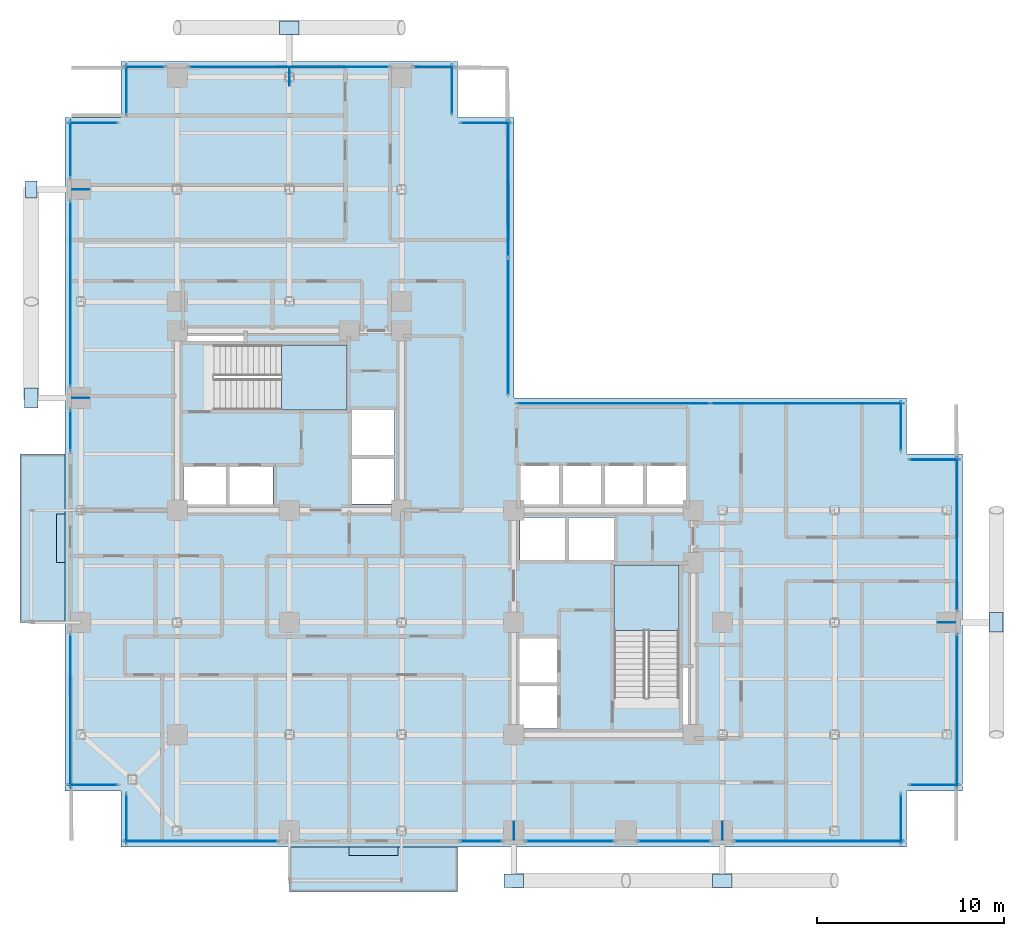
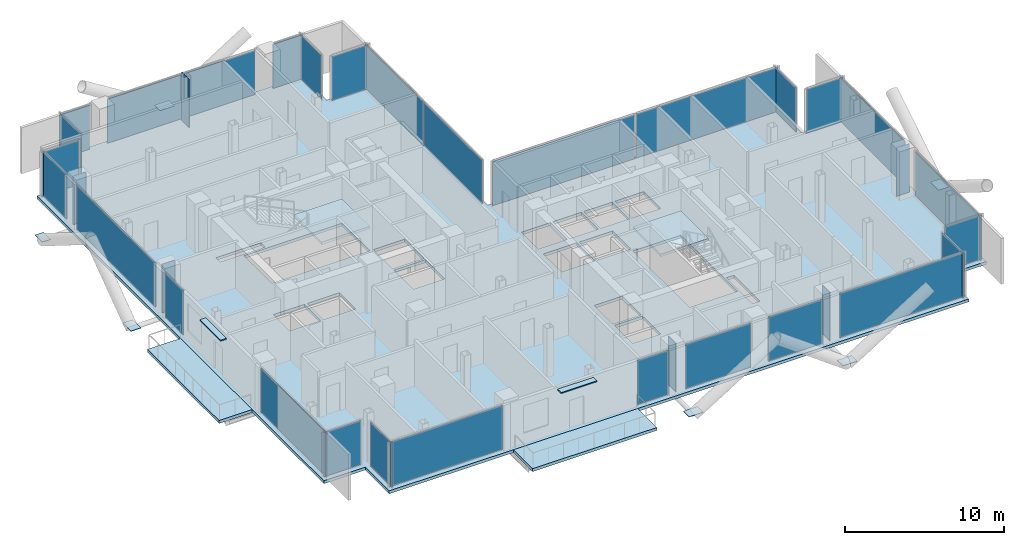
# One storey, part 17 of 24: 42 plates, 5 slabs, 28 elements without a shape of their own.
"""IFC4 building model written with IfcOpenShell, lengths in metres."""

from ifc_helpers import new_model, si_unit, direction, frame, origin, origin_2d, place, context, subcontext, project, spatial, polyline, rectangle, outline, extrude, material, layer, layer_set, type_object, element, aggregate, save


model = new_model("IFC4")

# Units and contexts
model_context = context("Model", 3, precision=1e-05, world=origin(), true_north=direction((0.0, 1.0)))
body_context = subcontext(model_context, "Body", "Model", "MODEL_VIEW")
ifc_project = project(units=[si_unit("LENGTHUNIT", "METRE"), si_unit("AREAUNIT", "SQUARE_METRE"), si_unit("VOLUMEUNIT", "CUBIC_METRE"), si_unit("PLANEANGLEUNIT", "RADIAN"), si_unit("MASSUNIT", "GRAM", prefix="KILO"), si_unit("THERMODYNAMICTEMPERATUREUNIT", "KELVIN"), si_unit("POWERUNIT", "WATT")], contexts=[model_context])

# Site, building, storey
site_placement = place(None, origin())
site = spatial("IfcSite", under=ifc_project, at=site_placement, CompositionType="ELEMENT")
building_placement = place(site_placement, origin())
building = spatial("IfcBuilding", under=site, at=building_placement, Name="Svarakhadi Broadcast Tower", CompositionType="ELEMENT")
storey_placement = place(building_placement, frame((0.0, 0.0, 115.64990234375)))
storey = spatial("IfcBuildingStorey", under=building, at=storey_placement, Name="L27", CompositionType="ELEMENT", Elevation=115.64990234375)

# Curtain wall, plate
ifc_material_1 = material(Name="Anodised Bronze Aluminium AA 6063-T6", Category="aluminium")
ifc_layer_1 = layer(ifc_material_1, 0.199951171875)
ifc_layer_set_1 = layer_set([ifc_layer_1], Name="Anodised Bronze Aluminium AA 6063-T6")
curtain_wall_type = type_object("IfcCurtainWallType", Name="CW_Sys_03", PredefinedType="NOTDEFINED", material=ifc_layer_set_1)
curtain_wall_1_placement = place(storey_placement, origin())
curtain_wall_1 = element("IfcCurtainWall", 1, at=curtain_wall_1_placement, inside=storey, type_object=curtain_wall_type, Name="L27 Unitised Facade Curtain Wall 01", PredefinedType="NOTDEFINED")
ifc_material_2 = material(Name="Double Low-E Laminated Acoustic Glass IGU 36 mm", Category="glass")
ifc_layer_2 = layer(ifc_material_2, 0.035888671875)
ifc_layer_set_2 = layer_set([ifc_layer_2], Name="Double Low-E Laminated Acoustic Glass IGU 36 mm")
plate_type_1 = type_object("IfcPlateType", Name="CW_Sys_03_Pnl", PredefinedType="CURTAIN_PANEL", material=ifc_layer_set_2)
plate_1_placement = place(storey_placement, frame((1.5, 3.300048828125, 0.0703125), z_axis=(0.0, 0.0, 1.0), x_axis=(-1.0, 0.0, 0.0)))
plate_1 = element("IfcPlate", 2, at=plate_1_placement, type_object=plate_type_1, Name="CW-03 panel 1.1", PredefinedType="CURTAIN_PANEL", context=body_context, shape_type="SweptSolid", body=[
    extrude(rectangle(XDim=2.669921875, YDim=0.035888671875, at=origin_2d()), origin(), (0.0, 0.0, 1.0), 3.385009765625),
])
aggregate(curtain_wall_1, [plate_1])

curtain_wall_2_placement = place(storey_placement, origin())
curtain_wall_2 = element("IfcCurtainWall", 3, at=curtain_wall_2_placement, inside=storey, type_object=curtain_wall_type, Name="L27 West Curtain Wall 02", PredefinedType="NOTDEFINED")
plate_2_placement = place(storey_placement, frame((0.300048828125, 7.260009765625, 0.0703125), z_axis=(0.0, 0.0, 1.0), x_axis=(0.0, 1.0, 0.0)))
plate_2 = element("IfcPlate", 4, at=plate_2_placement, type_object=plate_type_1, Name="CW-03 panel 1.1", PredefinedType="CURTAIN_PANEL", context=body_context, shape_type="SweptSolid", body=[
    extrude(rectangle(XDim=8.18994140625, YDim=0.035888671875, at=origin_2d()), origin(), (0.0, 0.0, 1.0), 3.385009765625),
])
aggregate(curtain_wall_2, [plate_2])

curtain_wall_3_placement = place(storey_placement, origin())
curtain_wall_3 = element("IfcCurtainWall", 5, at=curtain_wall_3_placement, inside=storey, type_object=curtain_wall_type, Name="L27 West Curtain Wall 03 Bay 1", PredefinedType="NOTDEFINED")
plate_3_placement = place(storey_placement, frame((0.300048828125, 22.260009765625, 0.0703125), z_axis=(0.0, 0.0, 1.0), x_axis=(0.0, 1.0, 0.0)))
plate_3 = element("IfcPlate", 6, at=plate_3_placement, type_object=plate_type_1, Name="CW-03 panel 1.1", PredefinedType="CURTAIN_PANEL", context=body_context, shape_type="SweptSolid", body=[
    extrude(rectangle(XDim=2.18994140625, YDim=0.035888671875, at=origin_2d()), origin(), (0.0, 0.0, 1.0), 3.385009765625),
])
aggregate(curtain_wall_3, [plate_3])

curtain_wall_4_placement = place(storey_placement, origin())
curtain_wall_4 = element("IfcCurtainWall", 7, at=curtain_wall_4_placement, inside=storey, type_object=curtain_wall_type, Name="L27 West Curtain Wall 03 Bay 2", PredefinedType="NOTDEFINED")
plate_4_placement = place(storey_placement, frame((0.300048828125, 29.574951171875, 0.0703125), z_axis=(0.0, 0.0, 1.0), x_axis=(0.0, 1.0, 0.0)))
plate_4 = element("IfcPlate", 8, at=plate_4_placement, type_object=plate_type_1, Name="CW-03 panel 1.1", PredefinedType="CURTAIN_PANEL", context=body_context, shape_type="SweptSolid", body=[
    extrude(rectangle(XDim=9.860107421875, YDim=0.035888671875, at=origin_2d()), origin(), (0.0, 0.0, 1.0), 3.385009765625),
])
aggregate(curtain_wall_4, [plate_4])

curtain_wall_5_placement = place(storey_placement, origin())
curtain_wall_5 = element("IfcCurtainWall", 9, at=curtain_wall_5_placement, inside=storey, type_object=curtain_wall_type, Name="L27 West Curtain Wall 03 Bay 3", PredefinedType="NOTDEFINED")
plate_5_placement = place(storey_placement, frame((0.300048828125, 37.31494140625, 0.0703125), z_axis=(0.0, 0.0, 1.0), x_axis=(0.0, 1.0, 0.0)))
plate_5 = element("IfcPlate", 10, at=plate_5_placement, type_object=plate_type_1, Name="CW-03 panel 1.1", PredefinedType="CURTAIN_PANEL", context=body_context, shape_type="SweptSolid", body=[
    extrude(rectangle(XDim=3.0400390625, YDim=0.035888671875, at=origin_2d()), origin(), (0.0, 0.0, 1.0), 3.385009765625),
])
aggregate(curtain_wall_5, [plate_5])

curtain_wall_6_placement = place(storey_placement, origin())
curtain_wall_6 = element("IfcCurtainWall", 11, at=curtain_wall_6_placement, inside=storey, type_object=curtain_wall_type, Name="L27 Unitised Facade Curtain Wall 04", PredefinedType="NOTDEFINED")
plate_6_placement = place(storey_placement, frame((1.5, 38.699951171875, 0.0703125), z_axis=(0.0, 0.0, 1.0), x_axis=(1.0, 0.0, 0.0)))
plate_6 = element("IfcPlate", 12, at=plate_6_placement, type_object=plate_type_1, Name="CW-03 panel 1.1", PredefinedType="CURTAIN_PANEL", context=body_context, shape_type="SweptSolid", body=[
    extrude(rectangle(XDim=2.669921875, YDim=0.035888671875, at=origin_2d()), origin(), (0.0, 0.0, 1.0), 3.385009765625),
])
aggregate(curtain_wall_6, [plate_6])

curtain_wall_7_placement = place(storey_placement, origin())
curtain_wall_7 = element("IfcCurtainWall", 13, at=curtain_wall_7_placement, inside=storey, type_object=curtain_wall_type, Name="L27 Unitised Facade Curtain Wall 05", PredefinedType="NOTDEFINED")
plate_7_placement = place(storey_placement, frame((3.300048828125, 40.5, 0.0703125), z_axis=(0.0, 0.0, 1.0), x_axis=(0.0, 1.0, 0.0)))
plate_7 = element("IfcPlate", 14, at=plate_7_placement, type_object=plate_type_1, Name="CW-03 panel 1.1", PredefinedType="CURTAIN_PANEL", context=body_context, shape_type="SweptSolid", body=[
    extrude(rectangle(XDim=2.669921875, YDim=0.035888671875, at=origin_2d()), origin(), (0.0, 0.0, 1.0), 3.385009765625),
])
aggregate(curtain_wall_7, [plate_7])

curtain_wall_8_placement = place(storey_placement, origin())
curtain_wall_8 = element("IfcCurtainWall", 15, at=curtain_wall_8_placement, inside=storey, type_object=curtain_wall_type, Name="L27 Unitised Facade Curtain Wall 06 Bay 1", PredefinedType="NOTDEFINED")
plate_8_placement = place(storey_placement, frame((4.260009765625, 41.699951171875, 0.0703125), z_axis=(0.0, 0.0, 1.0), x_axis=(1.0, 0.0, 0.0)))
plate_8 = element("IfcPlate", 16, at=plate_8_placement, type_object=plate_type_1, Name="CW-03 panel 1.1", PredefinedType="CURTAIN_PANEL", context=body_context, shape_type="SweptSolid", body=[
    extrude(rectangle(XDim=2.18994140625, YDim=0.035888671875, at=origin_2d()), origin(), (0.0, 0.0, 1.0), 3.385009765625),
])
aggregate(curtain_wall_8, [plate_8])

curtain_wall_9_placement = place(storey_placement, origin())
curtain_wall_9 = element("IfcCurtainWall", 17, at=curtain_wall_9_placement, inside=storey, type_object=curtain_wall_type, Name="L27 Unitised Facade Curtain Wall 06 Bay 2", PredefinedType="NOTDEFINED")
plate_9_placement = place(storey_placement, frame((12.0, 41.699951171875, 0.0703125), z_axis=(0.0, 0.0, 1.0), x_axis=(1.0, 0.0, 0.0)))
plate_9 = element("IfcPlate", 18, at=plate_9_placement, type_object=plate_type_1, Name="CW-03 panel 1.1", PredefinedType="CURTAIN_PANEL", context=body_context, shape_type="SweptSolid", body=[
    extrude(rectangle(XDim=10.7099609375, YDim=0.035888671875, at=origin_2d()), origin(), (0.0, 0.0, 1.0), 3.385009765625),
])
aggregate(curtain_wall_9, [plate_9])

curtain_wall_10_placement = place(storey_placement, origin())
curtain_wall_10 = element("IfcCurtainWall", 19, at=curtain_wall_10_placement, inside=storey, type_object=curtain_wall_type, Name="L27 Unitised Facade Curtain Wall 06 Bay 3", PredefinedType="NOTDEFINED")
plate_10_placement = place(storey_placement, frame((19.739990234375, 41.699951171875, 0.0703125), z_axis=(0.0, 0.0, 1.0), x_axis=(1.0, 0.0, 0.0)))
plate_10 = element("IfcPlate", 20, at=plate_10_placement, type_object=plate_type_1, Name="CW-03 panel 1.1", PredefinedType="CURTAIN_PANEL", context=body_context, shape_type="SweptSolid", body=[
    extrude(rectangle(XDim=2.18994140625, YDim=0.035888671875, at=origin_2d()), origin(), (0.0, 0.0, 1.0), 3.385009765625),
])
aggregate(curtain_wall_10, [plate_10])

curtain_wall_11_placement = place(storey_placement, origin())
curtain_wall_11 = element("IfcCurtainWall", 21, at=curtain_wall_11_placement, inside=storey, type_object=curtain_wall_type, Name="L27 Unitised Facade Curtain Wall 07", PredefinedType="NOTDEFINED")
plate_11_placement = place(storey_placement, frame((20.699951171875, 40.5, 0.0703125), z_axis=(0.0, 0.0, 1.0), x_axis=(0.0, -1.0, 0.0)))
plate_11 = element("IfcPlate", 22, at=plate_11_placement, type_object=plate_type_1, Name="CW-03 panel 1.1", PredefinedType="CURTAIN_PANEL", context=body_context, shape_type="SweptSolid", body=[
    extrude(rectangle(XDim=2.669921875, YDim=0.035888671875, at=origin_2d()), origin(), (0.0, 0.0, 1.0), 3.385009765625),
])
aggregate(curtain_wall_11, [plate_11])

curtain_wall_12_placement = place(storey_placement, origin())
curtain_wall_12 = element("IfcCurtainWall", 23, at=curtain_wall_12_placement, inside=storey, type_object=curtain_wall_type, Name="L27 Unitised Facade Curtain Wall 08", PredefinedType="NOTDEFINED")
plate_12_placement = place(storey_placement, frame((22.5, 38.699951171875, 0.0703125), z_axis=(0.0, 0.0, 1.0), x_axis=(1.0, 0.0, 0.0)))
plate_12 = element("IfcPlate", 24, at=plate_12_placement, type_object=plate_type_1, Name="CW-03 panel 1.1", PredefinedType="CURTAIN_PANEL", context=body_context, shape_type="SweptSolid", body=[
    extrude(rectangle(XDim=2.669921875, YDim=0.035888671875, at=origin_2d()), origin(), (0.0, 0.0, 1.0), 3.385009765625),
])
aggregate(curtain_wall_12, [plate_12])

# Curtain wall, plates
curtain_wall_13_placement = place(storey_placement, origin())
curtain_wall_13 = element("IfcCurtainWall", 25, at=curtain_wall_13_placement, inside=storey, type_object=curtain_wall_type, Name="L27 Unitised Facade Curtain Wall 09", PredefinedType="NOTDEFINED")
plate_13_placement = place(storey_placement, frame((23.699951171875, 35.186279296875, 0.0703125), z_axis=(0.0, 0.0, 1.0), x_axis=(0.0, -1.0, 0.0)))
plate_13 = element("IfcPlate", 26, at=plate_13_placement, type_object=plate_type_1, Name="CW-03 panel 1.1", PredefinedType="CURTAIN_PANEL", context=body_context, shape_type="SweptSolid", body=[
    extrude(rectangle(XDim=7.297607421875, YDim=0.035888671875, at=origin_2d()), origin(), (0.0, 0.0, 1.0), 3.385009765625),
])
plate_14_placement = place(storey_placement, frame((23.699951171875, 27.813720703125, 0.0703125), z_axis=(0.0, 0.0, 1.0), x_axis=(0.0, -1.0, 0.0)))
plate_14 = element("IfcPlate", 27, at=plate_14_placement, type_object=plate_type_1, Name="CW-03 panel 2.1", PredefinedType="CURTAIN_PANEL", context=body_context, shape_type="SweptSolid", body=[
    extrude(rectangle(XDim=7.297607421875, YDim=0.035888671875, at=origin_2d()), origin(), (0.0, 0.0, 1.0), 3.385009765625),
])
aggregate(curtain_wall_13, [plate_13, plate_14])

curtain_wall_14_placement = place(storey_placement, origin())
curtain_wall_14 = element("IfcCurtainWall", 28, at=curtain_wall_14_placement, inside=storey, type_object=curtain_wall_type, Name="L27 Unitised Facade Curtain Wall 10", PredefinedType="NOTDEFINED")
plate_15_placement = place(storey_placement, frame((29.313720703125, 23.699951171875, 0.0703125), z_axis=(0.0, 0.0, 1.0), x_axis=(1.0, 0.0, 0.0)))
plate_15 = element("IfcPlate", 29, at=plate_15_placement, type_object=plate_type_1, Name="CW-03 panel 1.1", PredefinedType="CURTAIN_PANEL", context=body_context, shape_type="SweptSolid", body=[
    extrude(rectangle(XDim=10.297607421875, YDim=0.035888671875, at=origin_2d()), origin(), (0.0, 0.0, 1.0), 3.385009765625),
])
plate_16_placement = place(storey_placement, frame((39.686279296875, 23.699951171875, 0.0703125), z_axis=(0.0, 0.0, 1.0), x_axis=(1.0, 0.0, 0.0)))
plate_16 = element("IfcPlate", 30, at=plate_16_placement, type_object=plate_type_1, Name="CW-03 panel 2.1", PredefinedType="CURTAIN_PANEL", context=body_context, shape_type="SweptSolid", body=[
    extrude(rectangle(XDim=10.297607421875, YDim=0.035888671875, at=origin_2d()), origin(), (0.0, 0.0, 1.0), 3.385009765625),
])
aggregate(curtain_wall_14, [plate_15, plate_16])

# Curtain wall, plate
curtain_wall_15_placement = place(storey_placement, origin())
curtain_wall_15 = element("IfcCurtainWall", 31, at=curtain_wall_15_placement, inside=storey, type_object=curtain_wall_type, Name="L27 Unitised Facade Curtain Wall 11", PredefinedType="NOTDEFINED")
plate_17_placement = place(storey_placement, frame((44.699951171875, 22.5, 0.0703125), z_axis=(0.0, 0.0, 1.0), x_axis=(0.0, -1.0, 0.0)))
plate_17 = element("IfcPlate", 32, at=plate_17_placement, type_object=plate_type_1, Name="CW-03 panel 1.1", PredefinedType="CURTAIN_PANEL", context=body_context, shape_type="SweptSolid", body=[
    extrude(rectangle(XDim=2.669921875, YDim=0.035888671875, at=origin_2d()), origin(), (0.0, 0.0, 1.0), 3.385009765625),
])
aggregate(curtain_wall_15, [plate_17])

curtain_wall_16_placement = place(storey_placement, origin())
curtain_wall_16 = element("IfcCurtainWall", 33, at=curtain_wall_16_placement, inside=storey, type_object=curtain_wall_type, Name="L27 Unitised Facade Curtain Wall 12", PredefinedType="NOTDEFINED")
plate_18_placement = place(storey_placement, frame((46.5, 20.699951171875, 0.0703125), z_axis=(0.0, 0.0, 1.0), x_axis=(1.0, 0.0, 0.0)))
plate_18 = element("IfcPlate", 34, at=plate_18_placement, type_object=plate_type_1, Name="CW-03 panel 1.1", PredefinedType="CURTAIN_PANEL", context=body_context, shape_type="SweptSolid", body=[
    extrude(rectangle(XDim=2.669921875, YDim=0.035888671875, at=origin_2d()), origin(), (0.0, 0.0, 1.0), 3.385009765625),
])
aggregate(curtain_wall_16, [plate_18])

curtain_wall_17_placement = place(storey_placement, origin())
curtain_wall_17 = element("IfcCurtainWall", 35, at=curtain_wall_17_placement, inside=storey, type_object=curtain_wall_type, Name="L27 Unitised Facade Curtain Wall 13 Bay 1", PredefinedType="NOTDEFINED")
plate_19_placement = place(storey_placement, frame((47.699951171875, 16.739990234375, 0.0703125), z_axis=(0.0, 0.0, 1.0), x_axis=(0.0, -1.0, 0.0)))
plate_19 = element("IfcPlate", 36, at=plate_19_placement, type_object=plate_type_1, Name="CW-03 panel 1.1", PredefinedType="CURTAIN_PANEL", context=body_context, shape_type="SweptSolid", body=[
    extrude(rectangle(XDim=8.18994140625, YDim=0.035888671875, at=origin_2d()), origin(), (0.0, 0.0, 1.0), 3.385009765625),
])
aggregate(curtain_wall_17, [plate_19])

curtain_wall_18_placement = place(storey_placement, origin())
curtain_wall_18 = element("IfcCurtainWall", 37, at=curtain_wall_18_placement, inside=storey, type_object=curtain_wall_type, Name="L27 Unitised Facade Curtain Wall 13 Bay 2", PredefinedType="NOTDEFINED")
plate_20_placement = place(storey_placement, frame((47.699951171875, 7.260009765625, 0.0703125), z_axis=(0.0, 0.0, 1.0), x_axis=(0.0, -1.0, 0.0)))
plate_20 = element("IfcPlate", 38, at=plate_20_placement, type_object=plate_type_1, Name="CW-03 panel 1.1", PredefinedType="CURTAIN_PANEL", context=body_context, shape_type="SweptSolid", body=[
    extrude(rectangle(XDim=8.18994140625, YDim=0.035888671875, at=origin_2d()), origin(), (0.0, 0.0, 1.0), 3.385009765625),
])
aggregate(curtain_wall_18, [plate_20])

curtain_wall_19_placement = place(storey_placement, origin())
curtain_wall_19 = element("IfcCurtainWall", 39, at=curtain_wall_19_placement, inside=storey, type_object=curtain_wall_type, Name="L27 Unitised Facade Curtain Wall 14", PredefinedType="NOTDEFINED")
plate_21_placement = place(storey_placement, frame((46.5, 3.300048828125, 0.0703125), z_axis=(0.0, 0.0, 1.0), x_axis=(-1.0, 0.0, 0.0)))
plate_21 = element("IfcPlate", 40, at=plate_21_placement, type_object=plate_type_1, Name="CW-03 panel 1.1", PredefinedType="CURTAIN_PANEL", context=body_context, shape_type="SweptSolid", body=[
    extrude(rectangle(XDim=2.669921875, YDim=0.035888671875, at=origin_2d()), origin(), (0.0, 0.0, 1.0), 3.385009765625),
])
aggregate(curtain_wall_19, [plate_21])

curtain_wall_20_placement = place(storey_placement, origin())
curtain_wall_20 = element("IfcCurtainWall", 41, at=curtain_wall_20_placement, inside=storey, type_object=curtain_wall_type, Name="L27 Unitised Facade Curtain Wall 15", PredefinedType="NOTDEFINED")
plate_22_placement = place(storey_placement, frame((44.699951171875, 1.5, 0.0703125), z_axis=(0.0, 0.0, 1.0), x_axis=(0.0, -1.0, 0.0)))
plate_22 = element("IfcPlate", 42, at=plate_22_placement, type_object=plate_type_1, Name="CW-03 panel 1.1", PredefinedType="CURTAIN_PANEL", context=body_context, shape_type="SweptSolid", body=[
    extrude(rectangle(XDim=2.669921875, YDim=0.035888671875, at=origin_2d()), origin(), (0.0, 0.0, 1.0), 3.385009765625),
])
aggregate(curtain_wall_20, [plate_22])

curtain_wall_21_placement = place(storey_placement, origin())
curtain_wall_21 = element("IfcCurtainWall", 43, at=curtain_wall_21_placement, inside=storey, type_object=curtain_wall_type, Name="L27 South Curtain Wall 16 Bay 1", PredefinedType="NOTDEFINED")
plate_23_placement = place(storey_placement, frame((40.31494140625, 0.300048828125, 0.0703125), z_axis=(0.0, 0.0, 1.0), x_axis=(-1.0, 0.0, 0.0)))
plate_23 = element("IfcPlate", 44, at=plate_23_placement, type_object=plate_type_1, Name="CW-03 panel 1.1", PredefinedType="CURTAIN_PANEL", context=body_context, shape_type="SweptSolid", body=[
    extrude(rectangle(XDim=9.0400390625, YDim=0.035888671875, at=origin_2d()), origin(), (0.0, 0.0, 1.0), 3.385009765625),
])
aggregate(curtain_wall_21, [plate_23])

curtain_wall_22_placement = place(storey_placement, origin())
curtain_wall_22 = element("IfcCurtainWall", 45, at=curtain_wall_22_placement, inside=storey, type_object=curtain_wall_type, Name="L27 South Curtain Wall 16 Bay 2", PredefinedType="NOTDEFINED")
plate_24_placement = place(storey_placement, frame((32.574951171875, 0.300048828125, 0.0703125), z_axis=(0.0, 0.0, 1.0), x_axis=(-1.0, 0.0, 0.0)))
plate_24 = element("IfcPlate", 46, at=plate_24_placement, type_object=plate_type_1, Name="CW-03 panel 1.1", PredefinedType="CURTAIN_PANEL", context=body_context, shape_type="SweptSolid", body=[
    extrude(rectangle(XDim=3.860107421875, YDim=0.035888671875, at=origin_2d()), origin(), (0.0, 0.0, 1.0), 3.385009765625),
])
aggregate(curtain_wall_22, [plate_24])

curtain_wall_23_placement = place(storey_placement, origin())
curtain_wall_23 = element("IfcCurtainWall", 47, at=curtain_wall_23_placement, inside=storey, type_object=curtain_wall_type, Name="L27 South Curtain Wall 16 Bay 3", PredefinedType="NOTDEFINED")
plate_25_placement = place(storey_placement, frame((27.0, 0.300048828125, 0.0703125), z_axis=(0.0, 0.0, 1.0), x_axis=(-1.0, 0.0, 0.0)))
plate_25 = element("IfcPlate", 48, at=plate_25_placement, type_object=plate_type_1, Name="CW-03 panel 1.1", PredefinedType="CURTAIN_PANEL", context=body_context, shape_type="SweptSolid", body=[
    extrude(rectangle(XDim=4.7099609375, YDim=0.035888671875, at=origin_2d()), origin(), (0.0, 0.0, 1.0), 3.385009765625),
])
aggregate(curtain_wall_23, [plate_25])

curtain_wall_24_placement = place(storey_placement, origin())
curtain_wall_24 = element("IfcCurtainWall", 49, at=curtain_wall_24_placement, inside=storey, type_object=curtain_wall_type, Name="L27 South Curtain Wall 16 Bay 4", PredefinedType="NOTDEFINED")
plate_26_placement = place(storey_placement, frame((22.260009765625, 0.300048828125, 0.0703125), z_axis=(0.0, 0.0, 1.0), x_axis=(-1.0, 0.0, 0.0)))
plate_26 = element("IfcPlate", 50, at=plate_26_placement, type_object=plate_type_1, Name="CW-03 panel 1.1", PredefinedType="CURTAIN_PANEL", context=body_context, shape_type="SweptSolid", body=[
    extrude(rectangle(XDim=2.18994140625, YDim=0.035888671875, at=origin_2d()), origin(), (0.0, 0.0, 1.0), 3.385009765625),
])
aggregate(curtain_wall_24, [plate_26])

curtain_wall_25_placement = place(storey_placement, origin())
curtain_wall_25 = element("IfcCurtainWall", 51, at=curtain_wall_25_placement, inside=storey, type_object=curtain_wall_type, Name="L27 South Curtain Wall 17", PredefinedType="NOTDEFINED")
plate_27_placement = place(storey_placement, frame((7.260009765625, 0.300048828125, 0.0703125), z_axis=(0.0, 0.0, 1.0), x_axis=(-1.0, 0.0, 0.0)))
plate_27 = element("IfcPlate", 52, at=plate_27_placement, type_object=plate_type_1, Name="CW-03 panel 1.1", PredefinedType="CURTAIN_PANEL", context=body_context, shape_type="SweptSolid", body=[
    extrude(rectangle(XDim=8.18994140625, YDim=0.035888671875, at=origin_2d()), origin(), (0.0, 0.0, 1.0), 3.385009765625),
])
aggregate(curtain_wall_25, [plate_27])

curtain_wall_26_placement = place(storey_placement, origin())
curtain_wall_26 = element("IfcCurtainWall", 53, at=curtain_wall_26_placement, inside=storey, type_object=curtain_wall_type, Name="L27 Unitised Facade Curtain Wall 18", PredefinedType="NOTDEFINED")
plate_28_placement = place(storey_placement, frame((3.300048828125, 1.5, 0.0703125), z_axis=(0.0, 0.0, 1.0), x_axis=(0.0, 1.0, 0.0)))
plate_28 = element("IfcPlate", 54, at=plate_28_placement, type_object=plate_type_1, Name="CW-03 panel 1.1", PredefinedType="CURTAIN_PANEL", context=body_context, shape_type="SweptSolid", body=[
    extrude(rectangle(XDim=2.669921875, YDim=0.035888671875, at=origin_2d()), origin(), (0.0, 0.0, 1.0), 3.385009765625),
])
aggregate(curtain_wall_26, [plate_28])

# Plates
ifc_material_3 = material(Name="Steel S460ML (IS 2062 E450BR)", Category="steel")
ifc_layer_3 = layer(ifc_material_3, 0.031982421875)
ifc_layer_set_3 = layer_set([ifc_layer_3], Name="Steel S460ML (IS 2062 E450BR)")
plate_type_2 = type_object("IfcPlateType", Name="Node_Gusset_N02", PredefinedType="SHEET", material=ifc_layer_set_3)
for number, where, z_axis, x_axis, name in (
    (55, (24.0, -1.800048828125, -0.22509765625), (0.0, 0.0, 1.0), (1.0, 0.0, 0.0), "L27 Exoskeleton Gusset Node Plate S01"),
    (56, (35.14990234375, -1.800048828125, -0.22509765625), (0.0, 0.0, 1.0), (1.0, 0.0, 0.0), "L27 Exoskeleton Gusset Node Plate S02"),
    (57, (-1.800048828125, 24.0, -0.22509765625), (0.0, 0.0, 1.0), (0.0, 1.0, 0.0), "L27 Exoskeleton Gusset Node Plate W03"),
    (58, (49.800048828125, 12.0, -0.22509765625), (0.0, 0.0, 1.0), (0.0, 1.0, 0.0), "L27 Exoskeleton Gusset Node Plate E05"),
    (59, (12.0, 43.800048828125, -0.22509765625), (0.0, 0.0, 1.0), (1.0, 0.0, 0.0), "L27 Exoskeleton Gusset Node Plate N06"),
):
    element("IfcPlate", number, at=place(storey_placement, frame(where, z_axis=z_axis, x_axis=x_axis)), inside=storey, type_object=plate_type_2, Name=name, PredefinedType="SHEET", context=body_context, shape_type="SweptSolid", body=[
        extrude(rectangle(XDim=1.050048828125, YDim=0.719970703125, at=origin_2d()), origin(), (0.0, 0.0, 1.0), 0.031982421875),
    ])
ifc_layer_4 = layer(ifc_material_3, 0.02587890625)
ifc_layer_set_4 = layer_set([ifc_layer_4], Name="Steel S460ML (IS 2062 E450BR)")
plate_type_3 = type_object("IfcPlateType", Name="Node_Gusset_N07", PredefinedType="SHEET", material=ifc_layer_set_4)
plate_29_placement = place(storey_placement, frame((-1.800048828125, 35.14990234375, -0.224853515625), z_axis=(0.0, 0.0, 1.0), x_axis=(0.0, 1.0, 0.0)))
element("IfcPlate", 60, at=plate_29_placement, inside=storey, type_object=plate_type_3, Name="L27 Exoskeleton Gusset Node Plate W04", PredefinedType="SHEET", context=body_context, shape_type="SweptSolid", body=[
    extrude(rectangle(XDim=0.919921875, YDim=0.6201171875, at=origin_2d()), origin(), (0.0, 0.0, 1.0), 0.02587890625),
])
for number, where, z_axis, x_axis, name in (
    (61, (24.0, 0.85009765625, -0.5869140625), (0.0, 0.0, 1.0), (0.0, 1.0, 0.0), "L27 Brace End Connection Gusset Plate N-07-E0219"),
    (62, (35.14990234375, 0.85009765625, -0.5869140625), (0.0, 0.0, 1.0), (0.0, 1.0, 0.0), "L27 Brace End Connection Gusset Plate N-07-E0220"),
    (63, (0.85009765625, 24.0, -0.5869140625), (0.0, 0.0, 1.0), (1.0, 0.0, 0.0), "L27 Brace End Connection Gusset Plate N-07-E0221"),
    (64, (0.85009765625, 35.14990234375, -0.5869140625), (0.0, 0.0, 1.0), (1.0, 0.0, 0.0), "L27 Brace End Connection Gusset Plate N-07-E0222"),
    (65, (47.14990234375, 12.0, -0.5869140625), (0.0, 0.0, 1.0), (1.0, 0.0, 0.0), "L27 Brace End Connection Gusset Plate N-07-E0223"),
    (66, (12.0, 41.14990234375, -0.5869140625), (0.0, 0.0, 1.0), (0.0, 1.0, 0.0), "L27 Brace End Connection Gusset Plate N-07-E0224"),
):
    element("IfcPlate", number, at=place(storey_placement, frame(where, z_axis=z_axis, x_axis=x_axis)), inside=storey, type_object=plate_type_3, Name=name, PredefinedType="SHEET", context=body_context, shape_type="SweptSolid", body=[
        extrude(rectangle(XDim=0.919921875, YDim=0.02587890625, at=origin_2d()), origin(), (0.0, 0.0, 1.0), 4.300048828125),
    ])

# Slab
ifc_material_4 = material(Name="Concrete C40/50 (IS 456 M50)", Category="concrete")
ifc_layer_5 = layer(ifc_material_4, 0.22509765625)
ifc_layer_set_5 = layer_set([ifc_layer_5], Name="Concrete C40/50 (IS 456 M50)")
slab_type_1 = type_object("IfcSlabType", Name="Slab_Floor_225", PredefinedType="FLOOR", material=ifc_layer_set_5)
slab_1_placement = place(storey_placement, frame((0.0, 0.0, -0.224853515625)))
element("IfcSlab", 67, at=slab_1_placement, inside=storey, type_object=slab_type_1, Name="L27 Structural Floor Slab", PredefinedType="FLOOR", context=body_context, shape_type="SweptSolid", body=[
    extrude(outline(polyline([(3.0, 0.0), (45.0, 0.0), (45.0, 3.0), (48.0, 3.0), (48.0, 21.0), (45.0, 21.0), (45.0, 24.0), (24.0, 24.0), (24.0, 39.0), (21.0, 39.0), (21.0, 42.0), (3.0, 42.0), (3.0, 39.0), (0.0, 39.0), (0.0, 3.0), (3.0, 3.0), (3.0, 0.0)]), holes=[polyline([(7.97998046875, 23.360107421875), (15.080078125, 23.360107421875), (15.080078125, 26.840087890625), (7.97998046875, 26.840087890625), (7.97998046875, 23.360107421875)]), polyline([(32.840087890625, 7.97998046875), (32.840087890625, 15.080078125), (29.360107421875, 15.080078125), (29.360107421875, 7.97998046875), (32.840087890625, 7.97998046875)]), polyline([(6.340087890625, 18.2900390625), (8.610107421875, 18.2900390625), (8.610107421875, 20.330078125), (6.340087890625, 20.330078125), (6.340087890625, 18.2900390625)]), polyline([(8.7900390625, 18.2900390625), (11.1298828125, 18.2900390625), (11.1298828125, 20.330078125), (8.7900390625, 20.330078125), (8.7900390625, 18.2900390625)]), polyline([(24.2900390625, 6.340087890625), (26.330078125, 6.340087890625), (26.330078125, 8.610107421875), (24.2900390625, 8.610107421875), (24.2900390625, 6.340087890625)]), polyline([(24.2900390625, 8.7900390625), (26.330078125, 8.7900390625), (26.330078125, 11.1298828125), (24.2900390625, 11.1298828125), (24.2900390625, 8.7900390625)]), polyline([(6.340087890625, 26.989990234375), (9.610107421875, 26.989990234375), (9.610107421875, 27.530029296875), (6.340087890625, 27.530029296875), (6.340087890625, 26.989990234375)]), polyline([(32.989990234375, 6.340087890625), (33.530029296875, 6.340087890625), (33.530029296875, 9.610107421875), (32.989990234375, 9.610107421875), (32.989990234375, 6.340087890625)]), polyline([(15.340087890625, 18.340087890625), (17.610107421875, 18.340087890625), (17.610107421875, 20.760009765625), (15.340087890625, 20.760009765625), (15.340087890625, 18.340087890625)]), polyline([(15.340087890625, 20.93994140625), (17.610107421875, 20.93994140625), (17.610107421875, 23.360107421875), (15.340087890625, 23.360107421875), (15.340087890625, 20.93994140625)]), polyline([(24.340087890625, 15.340087890625), (26.760009765625, 15.340087890625), (26.760009765625, 17.610107421875), (24.340087890625, 17.610107421875), (24.340087890625, 15.340087890625)]), polyline([(26.93994140625, 15.340087890625), (29.360107421875, 15.340087890625), (29.360107421875, 17.610107421875), (26.93994140625, 17.610107421875), (26.93994140625, 15.340087890625)]), polyline([(24.340087890625, 18.239990234375), (26.429931640625, 18.239990234375), (26.429931640625, 20.360107421875), (24.340087890625, 20.360107421875), (24.340087890625, 18.239990234375)]), polyline([(26.610107421875, 18.239990234375), (28.679931640625, 18.239990234375), (28.679931640625, 20.360107421875), (26.610107421875, 20.360107421875), (26.610107421875, 18.239990234375)]), polyline([(28.860107421875, 18.239990234375), (30.929931640625, 18.239990234375), (30.929931640625, 20.360107421875), (28.860107421875, 20.360107421875), (28.860107421875, 18.239990234375)]), polyline([(31.110107421875, 18.239990234375), (33.2099609375, 18.239990234375), (33.2099609375, 20.360107421875), (31.110107421875, 20.360107421875), (31.110107421875, 18.239990234375)])]), origin(), (0.0, 0.0, 1.0), 0.224853515625),
])

# Stair, slab
stair_type = type_object("IfcStairType", Name="Stair_Exit_Core", PredefinedType="HALF_TURN_STAIR", material=ifc_material_4)
stair_1_placement = place(storey_placement, origin())
stair_1 = element("IfcStair", 68, at=stair_1_placement, inside=storey, type_object=stair_type, Name="L27 West Core Protected Exit Stair ST-01", PredefinedType="HALF_TURN_STAIR")
ifc_layer_6 = layer(ifc_material_4, 0.199951171875)
ifc_layer_set_6 = layer_set([ifc_layer_6], Name="Concrete C40/50 (IS 456 M50)")
slab_type_2 = type_object("IfcSlabType", Name="Slab_Stair_Land", PredefinedType="LANDING", material=ifc_layer_set_6)
slab_2_placement = place(storey_placement, frame((0.0, 0.0, 1.675048828125)))
slab_2 = element("IfcSlab", 69, at=slab_2_placement, type_object=slab_type_2, Name="ST-01 landing 1", PredefinedType="LANDING", context=body_context, shape_type="SweptSolid", body=[
    extrude(outline(polyline([(11.580078125, 23.360107421875), (15.080078125, 23.360107421875), (15.080078125, 26.840087890625), (11.580078125, 26.840087890625), (11.580078125, 23.360107421875)])), origin(), (0.0, 0.0, 1.0), 0.199951171875),
])
aggregate(stair_1, [slab_2])

stair_2_placement = place(storey_placement, origin())
stair_2 = element("IfcStair", 70, at=stair_2_placement, inside=storey, type_object=stair_type, Name="L27 East Core Protected Exit Stair ST-02", PredefinedType="HALF_TURN_STAIR")
slab_3_placement = place(storey_placement, frame((0.0, 0.0, 1.675048828125)))
slab_3 = element("IfcSlab", 71, at=slab_3_placement, type_object=slab_type_2, Name="ST-02 landing 1", PredefinedType="LANDING", context=body_context, shape_type="SweptSolid", body=[
    extrude(outline(polyline([(32.840087890625, 11.580078125), (32.840087890625, 15.080078125), (29.360107421875, 15.080078125), (29.360107421875, 11.580078125), (32.840087890625, 11.580078125)])), origin(), (0.0, 0.0, 1.0), 0.199951171875),
])
aggregate(stair_2, [slab_3])

# Slabs
ifc_layer_7 = layer(ifc_material_4, 0.22509765625)
ifc_layer_set_7 = layer_set([ifc_layer_7], Name="Concrete C40/50 (IS 456 M50)")
slab_type_3 = type_object("IfcSlabType", Name="Slab_TreeBalcony", PredefinedType="FLOOR", material=ifc_layer_set_7)
slab_4_placement = place(storey_placement, frame((0.0, 0.0, -0.224853515625)))
element("IfcSlab", 72, at=slab_4_placement, inside=storey, type_object=slab_type_3, Name="L27 Planted Tree Balcony Slab BAL-S", PredefinedType="FLOOR", context=body_context, shape_type="SweptSolid", body=[
    extrude(outline(polyline([(12.0, -2.39990234375), (21.0, -2.39990234375), (21.0, 0.0), (12.0, 0.0), (12.0, -2.39990234375)])), origin(), (0.0, 0.0, 1.0), 0.224853515625),
])
slab_5_placement = place(storey_placement, frame((0.0, 0.0, -0.224853515625)))
element("IfcSlab", 73, at=slab_5_placement, inside=storey, type_object=slab_type_3, Name="L27 Planted Tree Balcony Slab BAL-W", PredefinedType="FLOOR", context=body_context, shape_type="SweptSolid", body=[
    extrude(outline(polyline([(-2.39990234375, 12.0), (0.0, 12.0), (0.0, 21.0), (-2.39990234375, 21.0), (-2.39990234375, 12.0)])), origin(), (0.0, 0.0, 1.0), 0.224853515625),
])

# Plates
ifc_layer_8 = layer(ifc_material_1, 0.080078125)
ifc_layer_set_8 = layer_set([ifc_layer_8], Name="Anodised Bronze Aluminium AA 6063-T6")
plate_type_4 = type_object("IfcPlateType", Name="Sunshade_Fin_SS01", PredefinedType="USERDEFINED", material=ifc_layer_set_8)
for number, where, z_axis, x_axis, name in (
    (74, (16.5, -0.22509765625, 3.445068359375), (0.0, 0.0, 1.0), (1.0, 0.0, 0.0), "L27 South Bronze Brise-Soleil Sunshade SS-01"),
    (75, (-0.22509765625, 16.5, 3.445068359375), (0.0, 0.0, 1.0), (0.0, 1.0, 0.0), "L27 West Bronze Brise-Soleil Sunshade SS-01"),
):
    element("IfcPlate", number, at=place(storey_placement, frame(where, z_axis=z_axis, x_axis=x_axis)), inside=storey, type_object=plate_type_4, Name=name, ObjectType="SUNSHADE", PredefinedType="USERDEFINED", context=body_context, shape_type="SweptSolid", body=[
        extrude(rectangle(XDim=2.60009765625, YDim=0.449951171875, at=origin_2d()), origin(), (0.0, 0.0, 1.0), 0.080078125),
    ])

save(model, "model.ifc")
